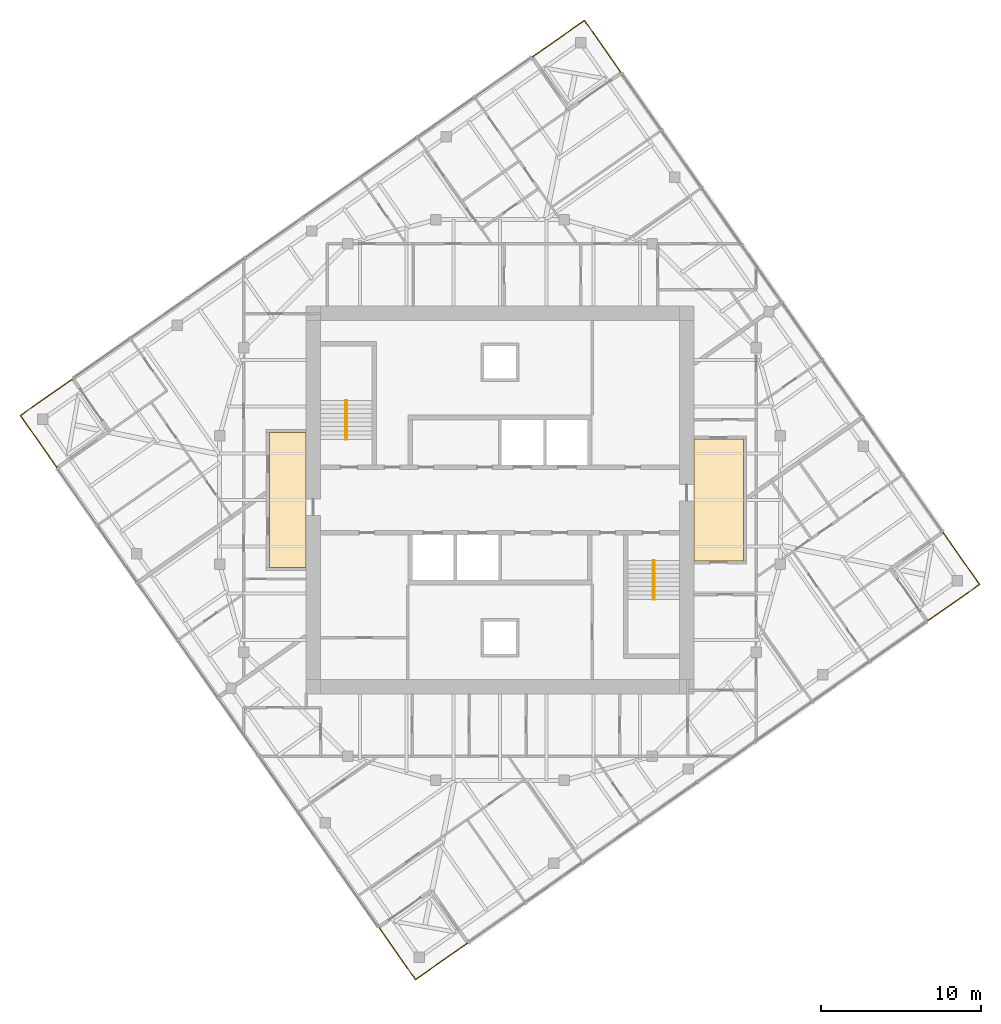
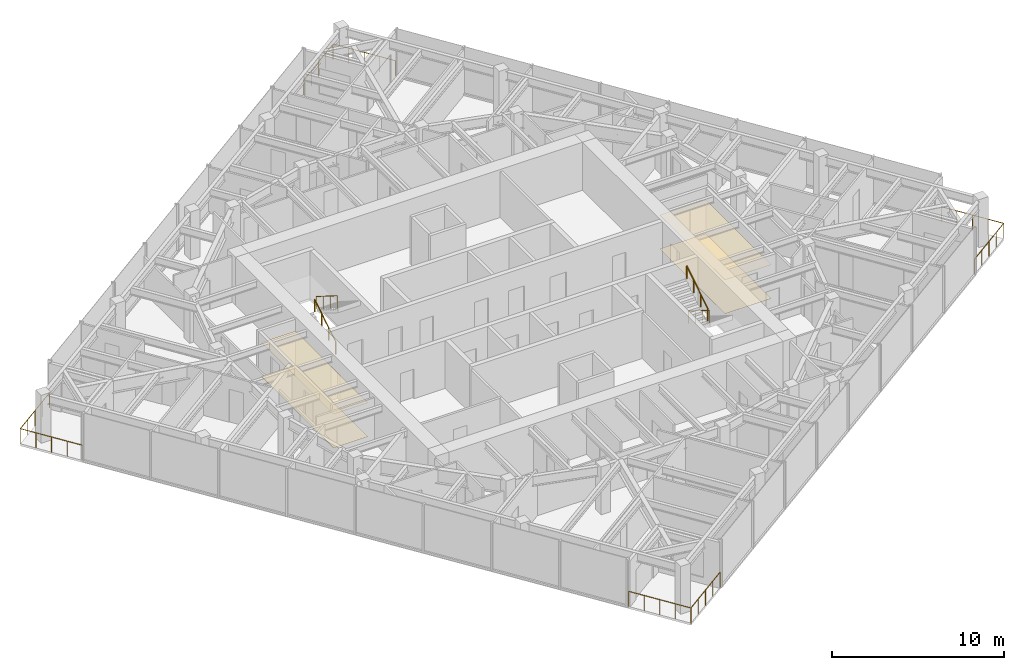
# One storey, part 12 of 12: 8 railings, 4 coverings, 2 elements without a shape of their own.
"""IFC4 building model written with IfcOpenShell, lengths in metres."""

from ifc_helpers import new_model, si_unit, direction, frame, origin, origin_2d, place, context, subcontext, project, spatial, polyline, circle, outline, extrude, material, layer, layer_set, type_object, element, aggregate, save


model = new_model("IFC4")

# Units and contexts
model_context = context("Model", 3, precision=1e-05, world=origin(), true_north=direction((0.0, 1.0)))
body_context = subcontext(model_context, "Body", "Model", "MODEL_VIEW")
ifc_project = project(units=[si_unit("LENGTHUNIT", "METRE"), si_unit("AREAUNIT", "SQUARE_METRE"), si_unit("VOLUMEUNIT", "CUBIC_METRE"), si_unit("PLANEANGLEUNIT", "RADIAN"), si_unit("MASSUNIT", "GRAM", prefix="KILO")], contexts=[model_context])

# Site, building, storey
site_placement = place(None, origin())
site = spatial("IfcSite", under=ifc_project, at=site_placement, CompositionType="ELEMENT")
building_placement = place(site_placement, origin())
building = spatial("IfcBuilding", under=site, at=building_placement, Name="Torsade Residences", CompositionType="ELEMENT")
storey_placement = place(building_placement, frame((0.0, 0.0, 254.0)))
storey = spatial("IfcBuildingStorey", under=building, at=storey_placement, Name="L70", CompositionType="ELEMENT", Elevation=254.0)

# Coverings
ifc_material_1 = material(Name="Nylon carpet tile on underlay", Category="textile")
ifc_layer_1 = layer(ifc_material_1, 0.010009765625)
ifc_layer_set_1 = layer_set([ifc_layer_1], Name="Nylon carpet tile on underlay")
covering_type_1 = type_object("IfcCoveringType", Name="CORRIDOR CARPET TILE 10", PredefinedType="FLOORING", material=ifc_layer_set_1)
covering_1_placement = place(storey_placement, origin())
element("IfcCovering", 1, at=covering_1_placement, inside=storey, type_object=covering_type_1, Name="Corridor carpet L70", PredefinedType="FLOORING", context=body_context, shape_type="SweptSolid", body=[
    extrude(outline(polyline([(55.199951171875, 26.199951171875), (55.199951171875, 33.800048828125), (52.10009765625, 33.800048828125), (52.10009765625, 26.199951171875), (55.199951171875, 26.199951171875)])), origin(), (0.0, 0.0, 1.0), 0.010009765625),
])
covering_2_placement = place(storey_placement, origin())
element("IfcCovering", 2, at=covering_2_placement, inside=storey, type_object=covering_type_1, Name="Corridor carpet west L70", PredefinedType="FLOORING", context=body_context, shape_type="SweptSolid", body=[
    extrude(outline(polyline([(27.89990234375, 25.800048828125), (27.89990234375, 34.199951171875), (25.60009765625, 34.199951171875), (25.60009765625, 25.800048828125), (27.89990234375, 25.800048828125)])), origin(), (0.0, 0.0, 1.0), 0.010009765625),
])
ifc_material_2 = material(Name="Plasterboard on suspended steel grid", Category="steel")
ifc_layer_2 = layer(ifc_material_2, 0.012939453125)
ifc_layer_set_2 = layer_set([ifc_layer_2], Name="Plasterboard on suspended steel grid")
covering_type_2 = type_object("IfcCoveringType", Name="CORRIDOR SUSPENDED CEILING 13", PredefinedType="CEILING", material=ifc_layer_set_2)
covering_3_placement = place(storey_placement, frame((0.0, 0.0, 2.39990234375)))
element("IfcCovering", 3, at=covering_3_placement, inside=storey, type_object=covering_type_2, Name="Corridor ceiling L70", PredefinedType="CEILING", context=body_context, shape_type="SweptSolid", body=[
    extrude(outline(polyline([(55.199951171875, 26.199951171875), (55.199951171875, 33.800048828125), (52.10009765625, 33.800048828125), (52.10009765625, 26.199951171875), (55.199951171875, 26.199951171875)])), origin(), (0.0, 0.0, 1.0), 0.01318359375),
])
covering_4_placement = place(storey_placement, frame((0.0, 0.0, 2.39990234375)))
element("IfcCovering", 4, at=covering_4_placement, inside=storey, type_object=covering_type_2, Name="Corridor ceiling west L70", PredefinedType="CEILING", context=body_context, shape_type="SweptSolid", body=[
    extrude(outline(polyline([(27.89990234375, 25.800048828125), (27.89990234375, 34.199951171875), (25.60009765625, 34.199951171875), (25.60009765625, 25.800048828125), (27.89990234375, 25.800048828125)])), origin(), (0.0, 0.0, 1.0), 0.01318359375),
])

# Stair, railings
ifc_material_3 = material(Name="Precast concrete 40 MPa", Category="concrete")
stair_type = type_object("IfcStairType", Name="HALF-TURN FIRE STAIR 1500x3400", PredefinedType="HALF_TURN_STAIR", material=ifc_material_3)
stair_1_placement = place(storey_placement, origin())
stair_1 = element("IfcStair", 5, at=stair_1_placement, inside=storey, type_object=stair_type, Name="Stair ST1 L70", PredefinedType="HALF_TURN_STAIR")
ifc_material_4 = material(Name="Steel handrail", Category="steel")
railing_type_1 = type_object("IfcRailingType", Name="STAIR HANDRAIL 900", PredefinedType="HANDRAIL", material=ifc_material_4)
railing_1_placement = place(storey_placement, frame((30.35009765625, 33.780029296875, 0.169921875)))
railing_1 = element("IfcRailing", 6, at=railing_1_placement, type_object=railing_type_1, Name="Handrail ST1 flight 1 L70", PredefinedType="HANDRAIL", context=body_context, shape_type="SweptSolid", body=[
    extrude(circle(Radius=0.02392578125, at=origin_2d()), frame((0.0, 0.0, 0.8759765625), z_axis=(0.0, 0.846221481393, 0.532831309544), x_axis=(-1.0, 0.0, 0.0)), (0.0, 0.0, 1.0), 2.87158203125),
    extrude(circle(Radius=0.02099609375, at=origin_2d()), origin(), (0.0, 0.0, 1.0), 0.851806640625),
    extrude(circle(Radius=0.02099609375, at=origin_2d()), frame((0.0, 0.81005859375, 0.510009765625)), (0.0, 0.0, 1.0), 0.851806640625),
    extrude(circle(Radius=0.02099609375, at=origin_2d()), frame((0.0, 1.619873046875, 1.02001953125)), (0.0, 0.0, 1.0), 0.851806640625),
    extrude(circle(Radius=0.02099609375, at=origin_2d()), frame((0.0, 2.429931640625, 1.530029296875)), (0.0, 0.0, 1.0), 0.851806640625),
])
railing_2_placement = place(storey_placement, frame((30.449951171875, 36.2099609375, 1.8701171875)))
railing_2 = element("IfcRailing", 7, at=railing_2_placement, type_object=railing_type_1, Name="Handrail ST1 flight 2 L70", PredefinedType="HANDRAIL", context=body_context, shape_type="SweptSolid", body=[
    extrude(circle(Radius=0.02392578125, at=origin_2d()), frame((0.0, 0.0, 0.8759765625), z_axis=(0.0, -0.846259816676, 0.532770422113), x_axis=(1.0, 0.0, 0.0)), (0.0, 0.0, 1.0), 2.871337890625),
    extrude(circle(Radius=0.02099609375, at=origin_2d()), origin(), (0.0, 0.0, 1.0), 0.851806640625),
    extrude(circle(Radius=0.02099609375, at=origin_2d()), frame((0.0, -0.81005859375, 0.510009765625)), (0.0, 0.0, 1.0), 0.851806640625),
    extrude(circle(Radius=0.02099609375, at=origin_2d()), frame((0.0, -1.619873046875, 1.019775390625)), (0.0, 0.0, 1.0), 0.851806640625),
    extrude(circle(Radius=0.02099609375, at=origin_2d()), frame((0.0, -2.429931640625, 1.52978515625)), (0.0, 0.0, 1.0), 0.851806640625),
])
aggregate(stair_1, [railing_1, railing_2])

stair_2_placement = place(storey_placement, origin())
stair_2 = element("IfcStair", 8, at=stair_2_placement, inside=storey, type_object=stair_type, Name="Stair ST2 L70", PredefinedType="HALF_TURN_STAIR")
railing_3_placement = place(storey_placement, frame((49.64990234375, 26.219970703125, 0.169921875)))
railing_3 = element("IfcRailing", 9, at=railing_3_placement, type_object=railing_type_1, Name="Handrail ST2 flight 1 L70", PredefinedType="HANDRAIL", context=body_context, shape_type="SweptSolid", body=[
    extrude(circle(Radius=0.02392578125, at=origin_2d()), frame((0.0, 0.0, 0.8759765625), z_axis=(0.0, -0.846221481393, 0.532831309544), x_axis=(1.0, 0.0, 0.0)), (0.0, 0.0, 1.0), 2.87158203125),
    extrude(circle(Radius=0.02099609375, at=origin_2d()), origin(), (0.0, 0.0, 1.0), 0.851806640625),
    extrude(circle(Radius=0.02099609375, at=origin_2d()), frame((0.0, -0.81005859375, 0.510009765625)), (0.0, 0.0, 1.0), 0.851806640625),
    extrude(circle(Radius=0.02099609375, at=origin_2d()), frame((0.0, -1.619873046875, 1.02001953125)), (0.0, 0.0, 1.0), 0.851806640625),
    extrude(circle(Radius=0.02099609375, at=origin_2d()), frame((0.0, -2.429931640625, 1.530029296875)), (0.0, 0.0, 1.0), 0.851806640625),
])
railing_4_placement = place(storey_placement, frame((49.550048828125, 23.7900390625, 1.8701171875)))
railing_4 = element("IfcRailing", 10, at=railing_4_placement, type_object=railing_type_1, Name="Handrail ST2 flight 2 L70", PredefinedType="HANDRAIL", context=body_context, shape_type="SweptSolid", body=[
    extrude(circle(Radius=0.02392578125, at=origin_2d()), frame((0.0, 0.0, 0.8759765625), z_axis=(0.0, 0.846259816676, 0.532770422113), x_axis=(-1.0, 0.0, 0.0)), (0.0, 0.0, 1.0), 2.871337890625),
    extrude(circle(Radius=0.02099609375, at=origin_2d()), origin(), (0.0, 0.0, 1.0), 0.851806640625),
    extrude(circle(Radius=0.02099609375, at=origin_2d()), frame((0.0, 0.81005859375, 0.510009765625)), (0.0, 0.0, 1.0), 0.851806640625),
    extrude(circle(Radius=0.02099609375, at=origin_2d()), frame((0.0, 1.619873046875, 1.019775390625)), (0.0, 0.0, 1.0), 0.851806640625),
    extrude(circle(Radius=0.02099609375, at=origin_2d()), frame((0.0, 2.429931640625, 1.52978515625)), (0.0, 0.0, 1.0), 0.851806640625),
])
aggregate(stair_2, [railing_3, railing_4])

# Railings
ifc_material_5 = material(Name="Laminated glass balustrade", Category="glass")
railing_type_2 = type_object("IfcRailingType", Name="TERRACE GLASS BALUSTRADE 1100", PredefinedType="BALUSTRADE", material=ifc_material_5)
railing_5_placement = place(storey_placement, frame((66.6669921875, 22.42578125, 0.0)))
element("IfcRailing", 11, at=railing_5_placement, inside=storey, type_object=railing_type_2, Name="Terrace balustrade SE L70", PredefinedType="BALUSTRADE", context=body_context, shape_type="SweptSolid", body=[
    extrude(circle(Radius=0.02392578125, at=origin_2d()), frame((0.0, 0.0, 1.076171875), z_axis=(0.819137286189, 0.573597512525, 0.0), x_axis=(-0.573597512525, 0.819137286189, 0.0)), (0.0, 0.0, 1.0), 4.0),
    extrude(circle(Radius=0.02392578125, at=origin_2d()), frame((3.276611328125, 2.29443359375, 1.076171875), z_axis=(-0.573556557423, 0.819165963305, 0.0), x_axis=(-0.819165963305, -0.573556557423, 0.0)), (0.0, 0.0, 1.0), 4.0),
    extrude(circle(Radius=0.02099609375, at=origin_2d()), origin(), (0.0, 0.0, 1.0), 1.052001953125),
    extrude(circle(Radius=0.02099609375, at=origin_2d()), frame((0.819091796875, 0.57373046875, 0.0)), (0.0, 0.0, 1.0), 1.052001953125),
    extrude(circle(Radius=0.02099609375, at=origin_2d()), frame((1.63818359375, 1.147216796875, 0.0)), (0.0, 0.0, 1.0), 1.052001953125),
    extrude(circle(Radius=0.02099609375, at=origin_2d()), frame((2.45751953125, 1.720703125, 0.0)), (0.0, 0.0, 1.0), 1.052001953125),
    extrude(circle(Radius=0.02099609375, at=origin_2d()), frame((3.276611328125, 2.29443359375, 0.0)), (0.0, 0.0, 1.0), 1.052001953125),
    extrude(circle(Radius=0.02099609375, at=origin_2d()), frame((2.703125, 3.113525390625, 0.0)), (0.0, 0.0, 1.0), 1.052001953125),
    extrude(circle(Radius=0.02099609375, at=origin_2d()), frame((2.12939453125, 3.9326171875, 0.0)), (0.0, 0.0, 1.0), 1.052001953125),
    extrude(circle(Radius=0.02099609375, at=origin_2d()), frame((1.555908203125, 4.751953125, 0.0)), (0.0, 0.0, 1.0), 1.052001953125),
    extrude(circle(Radius=0.02099609375, at=origin_2d()), frame((0.982421875, 5.571044921875, 0.0)), (0.0, 0.0, 1.0), 1.052001953125),
])
railing_6_placement = place(storey_placement, frame((47.57421875, 56.6669921875, 0.0)))
element("IfcRailing", 12, at=railing_6_placement, inside=storey, type_object=railing_type_2, Name="Terrace balustrade NE L70", PredefinedType="BALUSTRADE", context=body_context, shape_type="SweptSolid", body=[
    extrude(circle(Radius=0.02392578125, at=origin_2d()), frame((0.0, 0.0, 1.076171875), z_axis=(-0.573597512525, 0.819137286189, 0.0), x_axis=(-0.819137286189, -0.573597512525, 0.0)), (0.0, 0.0, 1.0), 4.0),
    extrude(circle(Radius=0.02392578125, at=origin_2d()), frame((-2.29443359375, 3.276611328125, 1.076171875), z_axis=(-0.819165963305, -0.573556557423, 0.0), x_axis=(0.573556557423, -0.819165963305, 0.0)), (0.0, 0.0, 1.0), 4.0),
    extrude(circle(Radius=0.02099609375, at=origin_2d()), origin(), (0.0, 0.0, 1.0), 1.052001953125),
    extrude(circle(Radius=0.02099609375, at=origin_2d()), frame((-0.57373046875, 0.819091796875, 0.0)), (0.0, 0.0, 1.0), 1.052001953125),
    extrude(circle(Radius=0.02099609375, at=origin_2d()), frame((-1.147216796875, 1.63818359375, 0.0)), (0.0, 0.0, 1.0), 1.052001953125),
    extrude(circle(Radius=0.02099609375, at=origin_2d()), frame((-1.720703125, 2.45751953125, 0.0)), (0.0, 0.0, 1.0), 1.052001953125),
    extrude(circle(Radius=0.02099609375, at=origin_2d()), frame((-2.29443359375, 3.276611328125, 0.0)), (0.0, 0.0, 1.0), 1.052001953125),
    extrude(circle(Radius=0.02099609375, at=origin_2d()), frame((-3.113525390625, 2.703125, 0.0)), (0.0, 0.0, 1.0), 1.052001953125),
    extrude(circle(Radius=0.02099609375, at=origin_2d()), frame((-3.9326171875, 2.12939453125, 0.0)), (0.0, 0.0, 1.0), 1.052001953125),
    extrude(circle(Radius=0.02099609375, at=origin_2d()), frame((-4.751953125, 1.555908203125, 0.0)), (0.0, 0.0, 1.0), 1.052001953125),
    extrude(circle(Radius=0.02099609375, at=origin_2d()), frame((-5.571044921875, 0.982421875, 0.0)), (0.0, 0.0, 1.0), 1.052001953125),
])
railing_7_placement = place(storey_placement, frame((13.3330078125, 37.57421875, 0.0)))
element("IfcRailing", 13, at=railing_7_placement, inside=storey, type_object=railing_type_2, Name="Terrace balustrade NW L70", PredefinedType="BALUSTRADE", context=body_context, shape_type="SweptSolid", body=[
    extrude(circle(Radius=0.02392578125, at=origin_2d()), frame((0.0, 0.0, 1.076171875), z_axis=(-0.819137286189, -0.573597512525, 0.0), x_axis=(0.573597512525, -0.819137286189, 0.0)), (0.0, 0.0, 1.0), 4.0),
    extrude(circle(Radius=0.02392578125, at=origin_2d()), frame((-3.276611328125, -2.29443359375, 1.076171875), z_axis=(0.573556557423, -0.819165963305, 0.0), x_axis=(0.819165963305, 0.573556557423, 0.0)), (0.0, 0.0, 1.0), 4.0),
    extrude(circle(Radius=0.02099609375, at=origin_2d()), origin(), (0.0, 0.0, 1.0), 1.052001953125),
    extrude(circle(Radius=0.02099609375, at=origin_2d()), frame((-0.819091796875, -0.57373046875, 0.0)), (0.0, 0.0, 1.0), 1.052001953125),
    extrude(circle(Radius=0.02099609375, at=origin_2d()), frame((-1.63818359375, -1.147216796875, 0.0)), (0.0, 0.0, 1.0), 1.052001953125),
    extrude(circle(Radius=0.02099609375, at=origin_2d()), frame((-2.45751953125, -1.720703125, 0.0)), (0.0, 0.0, 1.0), 1.052001953125),
    extrude(circle(Radius=0.02099609375, at=origin_2d()), frame((-3.276611328125, -2.29443359375, 0.0)), (0.0, 0.0, 1.0), 1.052001953125),
    extrude(circle(Radius=0.02099609375, at=origin_2d()), frame((-2.703125, -3.113525390625, 0.0)), (0.0, 0.0, 1.0), 1.052001953125),
    extrude(circle(Radius=0.02099609375, at=origin_2d()), frame((-2.12939453125, -3.9326171875, 0.0)), (0.0, 0.0, 1.0), 1.052001953125),
    extrude(circle(Radius=0.02099609375, at=origin_2d()), frame((-1.555908203125, -4.751953125, 0.0)), (0.0, 0.0, 1.0), 1.052001953125),
    extrude(circle(Radius=0.02099609375, at=origin_2d()), frame((-0.982421875, -5.571044921875, 0.0)), (0.0, 0.0, 1.0), 1.052001953125),
])
railing_8_placement = place(storey_placement, frame((32.42578125, 3.3330078125, 0.0)))
element("IfcRailing", 14, at=railing_8_placement, inside=storey, type_object=railing_type_2, Name="Terrace balustrade SW L70", PredefinedType="BALUSTRADE", context=body_context, shape_type="SweptSolid", body=[
    extrude(circle(Radius=0.02392578125, at=origin_2d()), frame((0.0, 0.0, 1.076171875), z_axis=(0.573597512525, -0.819137286189, 0.0), x_axis=(0.819137286189, 0.573597512525, 0.0)), (0.0, 0.0, 1.0), 4.0),
    extrude(circle(Radius=0.02392578125, at=origin_2d()), frame((2.29443359375, -3.276611328125, 1.076171875), z_axis=(0.819165963305, 0.573556557423, 0.0), x_axis=(-0.573556557423, 0.819165963305, 0.0)), (0.0, 0.0, 1.0), 4.0),
    extrude(circle(Radius=0.02099609375, at=origin_2d()), origin(), (0.0, 0.0, 1.0), 1.052001953125),
    extrude(circle(Radius=0.02099609375, at=origin_2d()), frame((0.57373046875, -0.819091796875, 0.0)), (0.0, 0.0, 1.0), 1.052001953125),
    extrude(circle(Radius=0.02099609375, at=origin_2d()), frame((1.147216796875, -1.63818359375, 0.0)), (0.0, 0.0, 1.0), 1.052001953125),
    extrude(circle(Radius=0.02099609375, at=origin_2d()), frame((1.720703125, -2.45751953125, 0.0)), (0.0, 0.0, 1.0), 1.052001953125),
    extrude(circle(Radius=0.02099609375, at=origin_2d()), frame((2.29443359375, -3.276611328125, 0.0)), (0.0, 0.0, 1.0), 1.052001953125),
    extrude(circle(Radius=0.02099609375, at=origin_2d()), frame((3.113525390625, -2.703125, 0.0)), (0.0, 0.0, 1.0), 1.052001953125),
    extrude(circle(Radius=0.02099609375, at=origin_2d()), frame((3.9326171875, -2.12939453125, 0.0)), (0.0, 0.0, 1.0), 1.052001953125),
    extrude(circle(Radius=0.02099609375, at=origin_2d()), frame((4.751953125, -1.555908203125, 0.0)), (0.0, 0.0, 1.0), 1.052001953125),
    extrude(circle(Radius=0.02099609375, at=origin_2d()), frame((5.571044921875, -0.982421875, 0.0)), (0.0, 0.0, 1.0), 1.052001953125),
])

save(model, "model.ifc")
